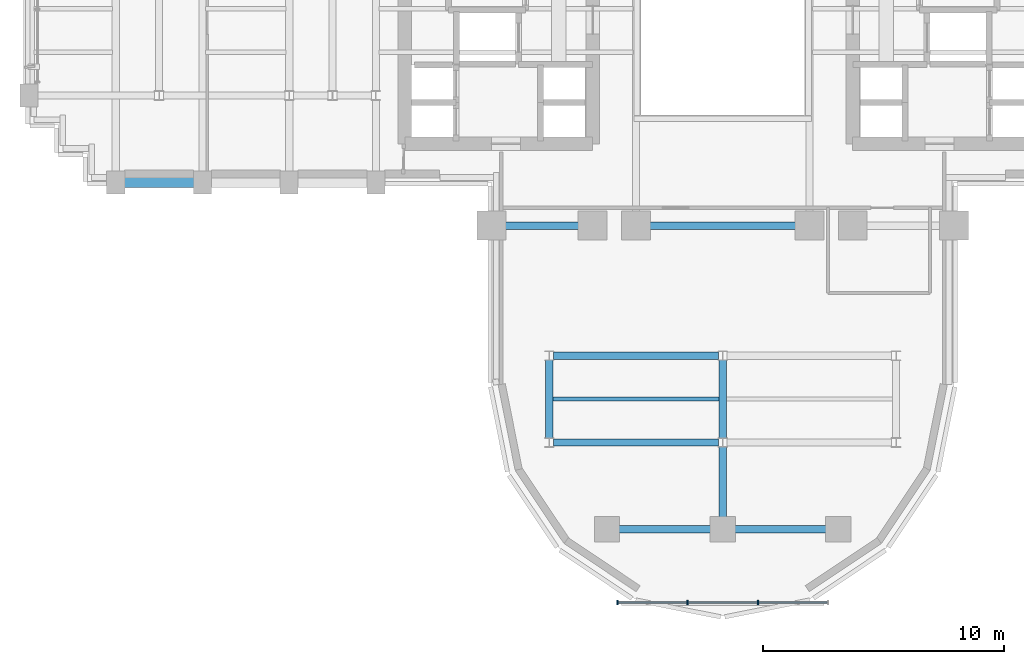
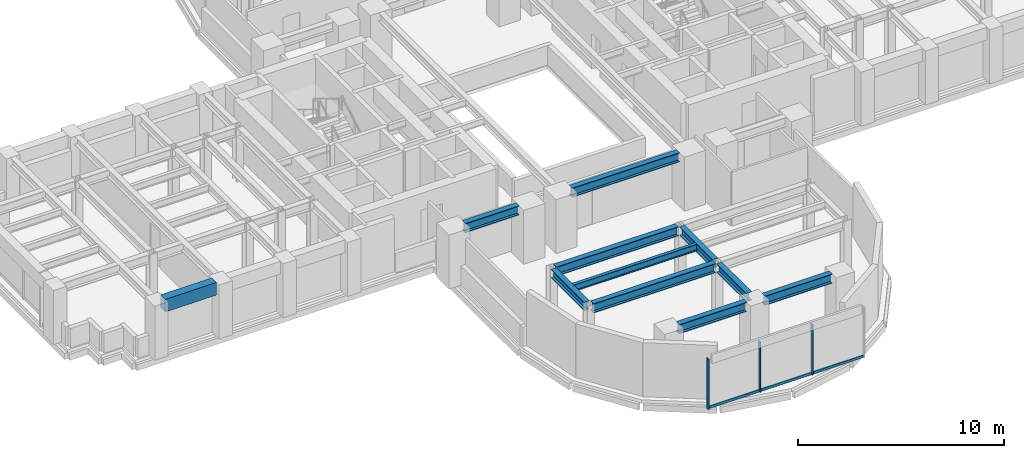
# One storey, part 3 of 16: 11 beams, 6 members, 1 element without a shape of its own.
"""IFC4 building model written with IfcOpenShell, lengths in metres."""

from ifc_helpers import new_model, si_unit, direction, frame, origin, origin_2d, place, context, subcontext, project, spatial, rectangle, i_section, extrude, source, transform, mapped, material, material_profile, profile_set, type_object, element, aggregate, save


model = new_model("IFC4")

# Units and contexts
model_context = context("Model", 3, precision=1e-05, world=origin(), true_north=direction((0.0, 1.0)))
body_context = subcontext(model_context, "Body", "Model", "MODEL_VIEW")
ifc_project = project(units=[si_unit("LENGTHUNIT", "METRE"), si_unit("AREAUNIT", "SQUARE_METRE"), si_unit("VOLUMEUNIT", "CUBIC_METRE"), si_unit("PLANEANGLEUNIT", "RADIAN"), si_unit("MASSUNIT", "GRAM", prefix="KILO")], contexts=[model_context])

# Site, building, storey
site_placement = place(None, origin())
site = spatial("IfcSite", under=ifc_project, at=site_placement, CompositionType="ELEMENT")
building_placement = place(site_placement, origin())
building = spatial("IfcBuilding", under=site, at=building_placement, Name="Keilestroom Media Tower", CompositionType="ELEMENT")
storey_placement = place(building_placement, frame((0.0, 0.0, 64.60009765625)))
storey = spatial("IfcBuildingStorey", under=building, at=storey_placement, Name="L16", CompositionType="ELEMENT", Elevation=64.60009765625)

# Beams
ifc_material_1 = material(Name="Steel S355", Category="steel")
ifc_material_profile_1 = material_profile(ifc_material_1, i_section(OverallWidth=0.300048828125, OverallDepth=0.550048828125, WebThickness=0.012939453125, FlangeThickness=0.029052734375, at=origin_2d()), Name="HEB 550")
ifc_profile_set_1 = profile_set([ifc_material_profile_1], Name="Steel S355")
beam_type_1 = type_object("IfcBeamType", Name="Primary-Structural-Girder-HEB-550", PredefinedType="BEAM", material=ifc_profile_set_1)
shared_shape_1 = source(origin(), body_context, "Body", "SweptSolid", [
    extrude(i_section(OverallWidth=0.300048828125, OverallDepth=0.550048828125, WebThickness=0.012939453125, FlangeThickness=0.029052734375, at=origin_2d()), origin(), (0.0, 0.0, 1.0), 3.7900390625),
])
for number, where, z_axis, x_axis, name in (
    (1, (-4.294921875, -21.60009765625, 2.9248046875), (1.0, 0.0, 0.0), (0.0, 1.0, 0.0), "L16 Beam BG-5 BM-L16-EW-001"),
    (2, (0.5048828125, -21.60009765625, 2.9248046875), (1.0, 0.0, 0.0), (0.0, 1.0, 0.0), "L16 Beam BG-5 BM-L16-EW-002"),
):
    element("IfcBeam", number, at=place(storey_placement, frame(where, z_axis=z_axis, x_axis=x_axis)), inside=storey, type_object=beam_type_1, Name=name, PredefinedType="BEAM", context=body_context, shape_type="MappedRepresentation", body=[
        mapped(shared_shape_1, transform((0.0, 0.0, 0.0), x_axis=(1.0, 0.0, 0.0), y_axis=(0.0, 1.0, 0.0), z_axis=(0.0, 0.0, 1.0), scale=1.0)),
    ])
shared_shape_2 = source(origin(), body_context, "Body", "SweptSolid", [
    extrude(i_section(OverallWidth=0.300048828125, OverallDepth=0.550048828125, WebThickness=0.012939453125, FlangeThickness=0.029052734375, at=origin_2d()), origin(), (0.0, 0.0, 1.0), 6.836181640625),
])
for number, where, z_axis, x_axis, name in (
    (3, (-7.01806640625, -18.0, 2.9248046875), (1.0, 0.0, 0.0), (0.0, 1.0, 0.0), "L16 Beam BG-5 BM-L16-EW-003"),
    (4, (-7.01806640625, -14.39990234375, 2.9248046875), (1.0, 0.0, 0.0), (0.0, 1.0, 0.0), "L16 Beam BG-5 BM-L16-EW-005"),
):
    element("IfcBeam", number, at=place(storey_placement, frame(where, z_axis=z_axis, x_axis=x_axis)), inside=storey, type_object=beam_type_1, Name=name, PredefinedType="BEAM", context=body_context, shape_type="MappedRepresentation", body=[
        mapped(shared_shape_2, transform((0.0, 0.0, 0.0), x_axis=(1.0, 0.0, 0.0), y_axis=(0.0, 1.0, 0.0), z_axis=(0.0, 0.0, 1.0), scale=1.0)),
    ])
shared_shape_3 = source(origin(), body_context, "Body", "SweptSolid", [
    extrude(i_section(OverallWidth=0.300048828125, OverallDepth=0.550048828125, WebThickness=0.012939453125, FlangeThickness=0.029052734375, at=origin_2d()), origin(), (0.0, 0.0, 1.0), 3.0400390625),
])
beam_1_placement = place(storey_placement, frame((-9.02001953125, -9.0, 2.9248046875), z_axis=(1.0, 0.0, 0.0), x_axis=(0.0, 1.0, 0.0)))
element("IfcBeam", 5, at=beam_1_placement, inside=storey, type_object=beam_type_1, Name="L16 Beam BG-5 BM-L16-EW-007", PredefinedType="BEAM", context=body_context, shape_type="MappedRepresentation", body=[
    mapped(shared_shape_3, transform((0.0, 0.0, 0.0), x_axis=(1.0, 0.0, 0.0), y_axis=(0.0, 1.0, 0.0), z_axis=(0.0, 0.0, 1.0), scale=1.0)),
])
shared_shape_4 = source(origin(), body_context, "Body", "SweptSolid", [
    extrude(i_section(OverallWidth=0.300048828125, OverallDepth=0.550048828125, WebThickness=0.012939453125, FlangeThickness=0.029052734375, at=origin_2d()), origin(), (0.0, 0.0, 1.0), 6.0400390625),
])
beam_2_placement = place(storey_placement, frame((-3.02001953125, -9.0, 2.9248046875), z_axis=(1.0, 0.0, 0.0), x_axis=(0.0, 1.0, 0.0)))
element("IfcBeam", 6, at=beam_2_placement, inside=storey, type_object=beam_type_1, Name="L16 Beam BG-5 BM-L16-EW-009", PredefinedType="BEAM", context=body_context, shape_type="MappedRepresentation", body=[
    mapped(shared_shape_4, transform((0.0, 0.0, 0.0), x_axis=(1.0, 0.0, 0.0), y_axis=(0.0, 1.0, 0.0), z_axis=(0.0, 0.0, 1.0), scale=1.0)),
])
ifc_material_2 = material(Name="Precast concrete C40/50", Category="concrete")
ifc_material_profile_2 = material_profile(ifc_material_2, rectangle(XDim=0.449951171875, YDim=0.75, at=origin_2d()), Name="PC 450x750")
ifc_profile_set_2 = profile_set([ifc_material_profile_2], Name="Precast concrete C40/50")
beam_type_2 = type_object("IfcBeamType", Name="Perimeter-Spandrel-Beam-PC-450x750", PredefinedType="SPANDREL", material=ifc_profile_set_2)
shared_shape_5 = source(origin(), body_context, "Body", "SweptSolid", [
    extrude(rectangle(XDim=0.449951171875, YDim=0.75, at=origin_2d()), origin(), (0.0, 0.0, 1.0), 2.889892578125),
])
beam_3_placement = place(storey_placement, frame((-24.844970703125, -7.199951171875, 2.824951171875), z_axis=(1.0, 0.0, 0.0), x_axis=(0.0, 1.0, 0.0)))
element("IfcBeam", 7, at=beam_3_placement, inside=storey, type_object=beam_type_2, Name="L16 Beam SPB-1 BM-L16-EW-012", PredefinedType="SPANDREL", context=body_context, shape_type="MappedRepresentation", body=[
    mapped(shared_shape_5, transform((0.0, 0.0, 0.0), x_axis=(1.0, 0.0, 0.0), y_axis=(0.0, 1.0, 0.0), z_axis=(0.0, 0.0, 1.0), scale=1.0)),
])
ifc_material_profile_3 = material_profile(ifc_material_1, i_section(OverallWidth=0.300048828125, OverallDepth=0.5, WebThickness=0.012451171875, FlangeThickness=0.028076171875, at=origin_2d()), Name="HEB 500")
ifc_profile_set_3 = profile_set([ifc_material_profile_3], Name="Steel S355")
beam_type_3 = type_object("IfcBeamType", Name="Primary-Structural-Girder-HEB-500", PredefinedType="BEAM", material=ifc_profile_set_3)
shared_shape_6 = source(origin(), body_context, "Body", "SweptSolid", [
    extrude(i_section(OverallWidth=0.300048828125, OverallDepth=0.5, WebThickness=0.012451171875, FlangeThickness=0.028076171875, at=origin_2d()), origin(), (0.0, 0.0, 1.0), 3.23291015625),
])
for number, where, z_axis, x_axis, name in (
    (8, (-7.199951171875, -17.81640625, 2.949951171875), (0.0, 1.0, 0.0), (-1.0, 0.0, 0.0), "L16 Beam BG-6 BM-L16-NS-063"),
    (9, (0.0, -17.81640625, 2.949951171875), (0.0, 1.0, 0.0), (-1.0, 0.0, 0.0), "L16 Beam BG-6 BM-L16-NS-068"),
):
    element("IfcBeam", number, at=place(storey_placement, frame(where, z_axis=z_axis, x_axis=x_axis)), inside=storey, type_object=beam_type_3, Name=name, PredefinedType="BEAM", context=body_context, shape_type="MappedRepresentation", body=[
        mapped(shared_shape_6, transform((0.0, 0.0, 0.0), x_axis=(1.0, 0.0, 0.0), y_axis=(0.0, 1.0, 0.0), z_axis=(0.0, 0.0, 1.0), scale=1.0)),
    ])
shared_shape_7 = source(origin(), body_context, "Body", "SweptSolid", [
    extrude(i_section(OverallWidth=0.300048828125, OverallDepth=0.5, WebThickness=0.012451171875, FlangeThickness=0.028076171875, at=origin_2d()), origin(), (0.0, 0.0, 1.0), 2.911376953125),
])
beam_4_placement = place(storey_placement, frame((0.0, -21.094970703125, 2.949951171875), z_axis=(0.0, 1.0, 0.0), x_axis=(-1.0, 0.0, 0.0)))
element("IfcBeam", 10, at=beam_4_placement, inside=storey, type_object=beam_type_3, Name="L16 Beam BG-6 BM-L16-NS-067", PredefinedType="BEAM", context=body_context, shape_type="MappedRepresentation", body=[
    mapped(shared_shape_7, transform((0.0, 0.0, 0.0), x_axis=(1.0, 0.0, 0.0), y_axis=(0.0, 1.0, 0.0), z_axis=(0.0, 0.0, 1.0), scale=1.0)),
])
ifc_material_profile_4 = material_profile(ifc_material_1, i_section(OverallWidth=0.179931640625, OverallDepth=0.39990234375, WebThickness=0.008544921875, FlangeThickness=0.013427734375, at=origin_2d()), Name="IPE 400")
ifc_profile_set_4 = profile_set([ifc_material_profile_4], Name="Steel S355")
beam_type_4 = type_object("IfcBeamType", Name="Secondary-Floor-Joist-IPE-400", PredefinedType="JOIST", material=ifc_profile_set_4)
shared_shape_8 = source(origin(), body_context, "Body", "SweptSolid", [
    extrude(i_section(OverallWidth=0.179931640625, OverallDepth=0.39990234375, WebThickness=0.008544921875, FlangeThickness=0.013427734375, at=origin_2d()), origin(), (0.0, 0.0, 1.0), 6.940185546875),
])
beam_5_placement = place(storey_placement, frame((-7.070068359375, -16.199951171875, 3.0), z_axis=(1.0, 0.0, 0.0), x_axis=(0.0, 1.0, 0.0)))
element("IfcBeam", 11, at=beam_5_placement, inside=storey, type_object=beam_type_4, Name="L16 Beam BJ-4 JST-L16-087", PredefinedType="JOIST", context=body_context, shape_type="MappedRepresentation", body=[
    mapped(shared_shape_8, transform((0.0, 0.0, 0.0), x_axis=(1.0, 0.0, 0.0), y_axis=(0.0, 1.0, 0.0), z_axis=(0.0, 0.0, 1.0), scale=1.0)),
])

# Curtain wall, members
ifc_material_3 = material(Name="Anodised Aluminium Alloy", Category="aluminium")
curtain_wall_type = type_object("IfcCurtainWallType", Name="Unitised-Curtain-Wall-CW-6", PredefinedType="NOTDEFINED", material=ifc_material_3)
curtain_wall_placement = place(storey_placement, origin())
curtain_wall = element("IfcCurtainWall", 12, at=curtain_wall_placement, inside=storey, type_object=curtain_wall_type, Name="L16 Curtain Wall CW-6 CW-L16-LS-1", PredefinedType="NOTDEFINED")
ifc_material_profile_5 = material_profile(ifc_material_3, rectangle(XDim=0.06494140625, YDim=0.179931640625, at=origin_2d()), Name="ALU MULLION 65x180")
ifc_profile_set_5 = profile_set([ifc_material_profile_5], Name="Anodised Aluminium Alloy")
member_type_1 = type_object("IfcMemberType", Name="Curtain-Wall-Mullion-CW-6", PredefinedType="MULLION", material=ifc_profile_set_5)
shared_shape_9 = source(origin(), body_context, "Body", "SweptSolid", [
    extrude(rectangle(XDim=0.06494140625, YDim=0.179931640625, at=origin_2d()), origin(), (0.0, 0.0, 1.0), 2.97998046875),
])
member_1_placement = place(storey_placement, frame((-4.367431640625, -24.64990234375, 0.0), z_axis=(0.0, 0.0, 1.0), x_axis=(1.0, 0.0, 0.0)))
member_1 = element("IfcMember", 13, at=member_1_placement, type_object=member_type_1, Name="CW-6 Mullion 00", PredefinedType="MULLION", context=body_context, shape_type="MappedRepresentation", body=[
    mapped(shared_shape_9, transform((0.0, 0.0, 0.0), x_axis=(1.0, 0.0, 0.0), y_axis=(0.0, 1.0, 0.0), z_axis=(0.0, 0.0, 1.0), scale=1.0)),
])
member_2_placement = place(storey_placement, frame((-1.466796875, -24.64990234375, 0.0), z_axis=(0.0, 0.0, 1.0), x_axis=(1.0, 0.0, 0.0)))
member_2 = element("IfcMember", 14, at=member_2_placement, type_object=member_type_1, Name="CW-6 Mullion 01", PredefinedType="MULLION", context=body_context, shape_type="MappedRepresentation", body=[
    mapped(shared_shape_9, transform((0.0, 0.0, 0.0), x_axis=(1.0, 0.0, 0.0), y_axis=(0.0, 1.0, 0.0), z_axis=(0.0, 0.0, 1.0), scale=1.0)),
])
member_3_placement = place(storey_placement, frame((1.466796875, -24.64990234375, 0.0), z_axis=(0.0, 0.0, 1.0), x_axis=(1.0, 0.0, 0.0)))
member_3 = element("IfcMember", 15, at=member_3_placement, type_object=member_type_1, Name="CW-6 Mullion 02", PredefinedType="MULLION", context=body_context, shape_type="MappedRepresentation", body=[
    mapped(shared_shape_9, transform((0.0, 0.0, 0.0), x_axis=(1.0, 0.0, 0.0), y_axis=(0.0, 1.0, 0.0), z_axis=(0.0, 0.0, 1.0), scale=1.0)),
])
ifc_material_profile_6 = material_profile(ifc_material_3, rectangle(XDim=0.06494140625, YDim=0.14990234375, at=origin_2d()), Name="ALU TRANSOM 65x150")
ifc_profile_set_6 = profile_set([ifc_material_profile_6], Name="Anodised Aluminium Alloy")
member_type_2 = type_object("IfcMemberType", Name="Curtain-Wall-Transom-CW-6", PredefinedType="USERDEFINED", material=ifc_profile_set_6)
shared_shape_10 = source(origin(), body_context, "Body", "SweptSolid", [
    extrude(rectangle(XDim=0.06494140625, YDim=0.14990234375, at=origin_2d()), origin(), (0.0, 0.0, 1.0), 2.839599609375),
])
member_4_placement = place(storey_placement, frame((-4.3369140625, -24.64990234375, 0.074951171875), z_axis=(1.0, 0.0, 0.0), x_axis=(0.0, 1.0, 0.0)))
member_4 = element("IfcMember", 16, at=member_4_placement, type_object=member_type_2, Name="CW-6 Transom 00.1", ObjectType="TRANSOM", PredefinedType="USERDEFINED", context=body_context, shape_type="MappedRepresentation", body=[
    mapped(shared_shape_10, transform((0.0, 0.0, 0.0), x_axis=(1.0, 0.0, 0.0), y_axis=(0.0, 1.0, 0.0), z_axis=(0.0, 0.0, 1.0), scale=1.0)),
])
member_5_placement = place(storey_placement, frame((1.497314453125, -24.64990234375, 0.074951171875), z_axis=(1.0, 0.0, 0.0), x_axis=(0.0, 1.0, 0.0)))
member_5 = element("IfcMember", 17, at=member_5_placement, type_object=member_type_2, Name="CW-6 Transom 02.1", ObjectType="TRANSOM", PredefinedType="USERDEFINED", context=body_context, shape_type="MappedRepresentation", body=[
    mapped(shared_shape_10, transform((0.0, 0.0, 0.0), x_axis=(1.0, 0.0, 0.0), y_axis=(0.0, 1.0, 0.0), z_axis=(0.0, 0.0, 1.0), scale=1.0)),
])
shared_shape_11 = source(origin(), body_context, "Body", "SweptSolid", [
    extrude(rectangle(XDim=0.06494140625, YDim=0.14990234375, at=origin_2d()), origin(), (0.0, 0.0, 1.0), 2.87255859375),
])
member_6_placement = place(storey_placement, frame((-1.436279296875, -24.64990234375, 0.074951171875), z_axis=(1.0, 0.0, 0.0), x_axis=(0.0, 1.0, 0.0)))
member_6 = element("IfcMember", 18, at=member_6_placement, type_object=member_type_2, Name="CW-6 Transom 01.1", ObjectType="TRANSOM", PredefinedType="USERDEFINED", context=body_context, shape_type="MappedRepresentation", body=[
    mapped(shared_shape_11, transform((0.0, 0.0, 0.0), x_axis=(1.0, 0.0, 0.0), y_axis=(0.0, 1.0, 0.0), z_axis=(0.0, 0.0, 1.0), scale=1.0)),
])
aggregate(curtain_wall, [member_1, member_2, member_3, member_4, member_6, member_5])

save(model, "model.ifc")
